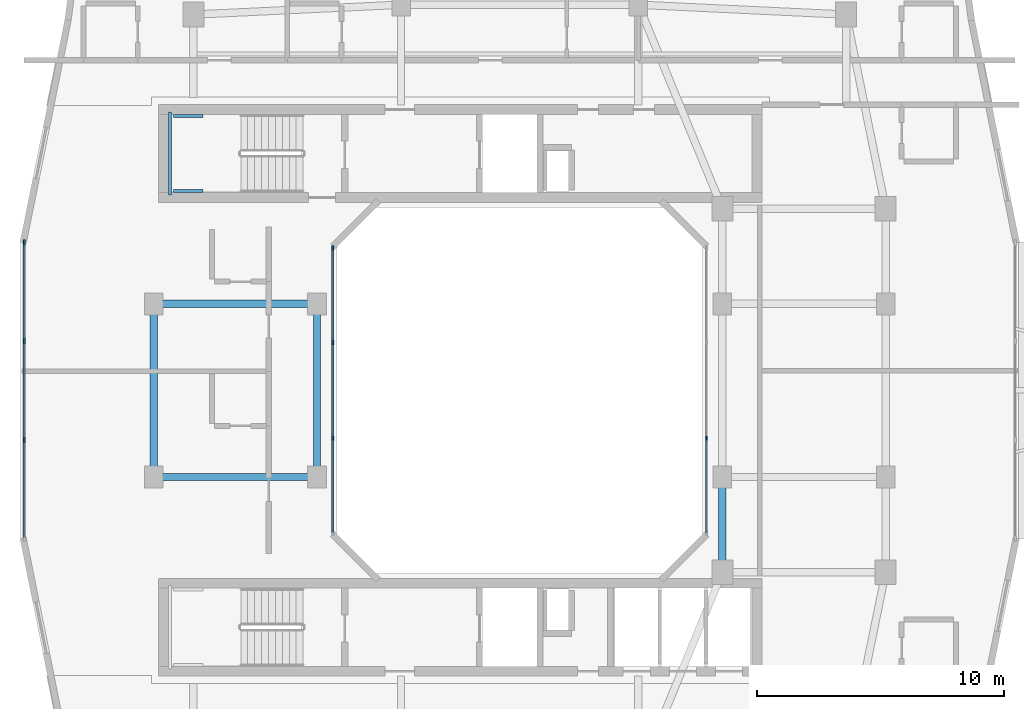
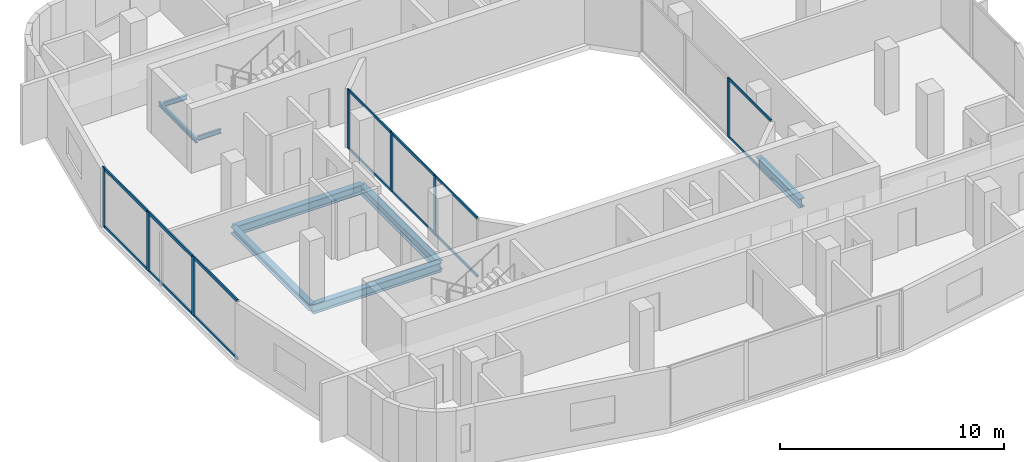
# One storey, part 3 of 14: 21 members, 8 beams, 3 elements without a shape of their own.
"""IFC4 building model written with IfcOpenShell, lengths in metres."""

from ifc_helpers import new_model, si_unit, derived_unit, direction, frame, origin, origin_2d, place, context, subcontext, project, spatial, rectangle, i_section, extrude, material, layer, layer_set, material_profile, profile_set, type_object, element, aggregate, save


model = new_model("IFC4")

# Units and contexts
model_context = context("Model", 3, precision=1e-05, world=origin(), true_north=direction((0.0, 1.0)))
body_context = subcontext(model_context, "Body", "Model", "MODEL_VIEW")
ifc_project = project(units=[si_unit("LENGTHUNIT", "METRE"), si_unit("AREAUNIT", "SQUARE_METRE"), si_unit("VOLUMEUNIT", "CUBIC_METRE"), si_unit("PLANEANGLEUNIT", "RADIAN"), si_unit("MASSUNIT", "GRAM", prefix="KILO"), derived_unit("THERMALTRANSMITTANCEUNIT", [(si_unit("POWERUNIT", "WATT"), 1), (si_unit("LENGTHUNIT", "METRE"), -2), (si_unit("THERMODYNAMICTEMPERATUREUNIT", "KELVIN"), -1)])], contexts=[model_context])

# Site, building, storey
site_placement = place(None, origin())
site = spatial("IfcSite", under=ifc_project, at=site_placement, CompositionType="ELEMENT")
building_placement = place(site_placement, origin())
building = spatial("IfcBuilding", under=site, at=building_placement, Name="Kivonza Crest Hotel", CompositionType="ELEMENT")
storey_placement = place(building_placement, frame((0.0, 0.0, 141.5)))
storey = spatial("IfcBuildingStorey", under=building, at=storey_placement, Name="L38", CompositionType="ELEMENT", Elevation=141.5)

# Beams
ifc_material_1 = material(Name="Steel S355", Category="steel")
ifc_material_profile_1 = material_profile(ifc_material_1, i_section(OverallWidth=0.300048828125, OverallDepth=0.360107421875, WebThickness=0.012451171875, FlangeThickness=0.0224609375, FilletRadius=0.027099609375, at=origin_2d()), Name="HEB 360")
ifc_profile_set_1 = profile_set([ifc_material_profile_1], Name="Steel S355")
beam_type_1 = type_object("IfcBeamType", Name="BM-HEB360", PredefinedType="SPANDREL", material=ifc_profile_set_1)
beam_1_placement = place(storey_placement, frame((6.199951171875, 28.5, -0.4599609375), z_axis=(0.0, -1.0, 0.0), x_axis=(1.0, 0.0, 0.0)))
element("IfcBeam", 1, at=beam_1_placement, inside=storey, type_object=beam_type_1, Name="Tower T1 L38 perimeter spandrel W2-W1", PredefinedType="SPANDREL", context=body_context, shape_type="SweptSolid", body=[
    extrude(i_section(OverallWidth=0.300048828125, OverallDepth=0.360107421875, WebThickness=0.012451171875, FlangeThickness=0.0224609375, FilletRadius=0.027099609375, at=origin_2d()), origin(), (0.0, 0.0, 1.0), 7.0),
])
ifc_material_profile_2 = material_profile(ifc_material_1, i_section(OverallWidth=0.300048828125, OverallDepth=0.5, WebThickness=0.014404296875, FlangeThickness=0.028076171875, FilletRadius=0.027099609375, at=origin_2d()), Name="HEB 500")
ifc_profile_set_2 = profile_set([ifc_material_profile_2], Name="Steel S355")
beam_type_2 = type_object("IfcBeamType", Name="BM-HEB500", PredefinedType="BEAM", material=ifc_profile_set_2)
for number, where, z_axis, x_axis, name in (
    (2, (6.199951171875, 21.5, -0.530029296875), (1.0, 0.0, 0.0), (0.0, 1.0, 0.0), "Tower T1 L38 primary girder W1-WL1"),
    (3, (6.199951171875, 28.5, -0.530029296875), (1.0, 0.0, 0.0), (0.0, 1.0, 0.0), "Tower T1 L38 primary girder W2-WL2"),
):
    element("IfcBeam", number, at=place(storey_placement, frame(where, z_axis=z_axis, x_axis=x_axis)), inside=storey, type_object=beam_type_2, Name=name, PredefinedType="BEAM", context=body_context, shape_type="SweptSolid", body=[
        extrude(i_section(OverallWidth=0.300048828125, OverallDepth=0.5, WebThickness=0.014404296875, FlangeThickness=0.028076171875, FilletRadius=0.027099609375, at=origin_2d()), origin(), (0.0, 0.0, 1.0), 6.60009765625),
    ])
beam_2_placement = place(storey_placement, frame((12.800048828125, 21.5, -0.530029296875), z_axis=(0.0, 1.0, 0.0), x_axis=(-1.0, 0.0, 0.0)))
element("IfcBeam", 4, at=beam_2_placement, inside=storey, type_object=beam_type_2, Name="Tower T1 L38 primary girder WL1-WL2", PredefinedType="BEAM", context=body_context, shape_type="SweptSolid", body=[
    extrude(i_section(OverallWidth=0.300048828125, OverallDepth=0.5, WebThickness=0.014404296875, FlangeThickness=0.028076171875, FilletRadius=0.027099609375, at=origin_2d()), origin(), (0.0, 0.0, 1.0), 7.0),
])
beam_3_placement = place(storey_placement, frame((29.199951171875, 17.64990234375, -0.530029296875), z_axis=(0.0, 1.0, 0.0), x_axis=(-1.0, 0.0, 0.0)))
element("IfcBeam", 5, at=beam_3_placement, inside=storey, type_object=beam_type_2, Name="Tower T1 L38 primary girder TSE-WR1", PredefinedType="BEAM", context=body_context, shape_type="SweptSolid", body=[
    extrude(i_section(OverallWidth=0.300048828125, OverallDepth=0.5, WebThickness=0.014404296875, FlangeThickness=0.028076171875, FilletRadius=0.027099609375, at=origin_2d()), origin(), (0.0, 0.0, 1.0), 3.85009765625),
])
ifc_material_profile_3 = material_profile(ifc_material_1, i_section(OverallWidth=0.1201171875, OverallDepth=0.239990234375, WebThickness=0.006103515625, FlangeThickness=0.009765625, FilletRadius=0.014892578125, at=origin_2d()), Name="IPE 240")
ifc_profile_set_3 = profile_set([ifc_material_profile_3], Name="Steel S355")
beam_type_3 = type_object("IfcBeamType", Name="BM-LLDG-240", PredefinedType="BEAM", material=ifc_profile_set_3)
beam_4_placement = place(storey_placement, frame((6.860107421875, 32.89990234375, 1.429931640625), z_axis=(0.0, 1.0, 0.0), x_axis=(-1.0, 0.0, 0.0)))
element("IfcBeam", 6, at=beam_4_placement, inside=storey, type_object=beam_type_3, Name="Stair ST-T1-N L38 West landing corbel", PredefinedType="BEAM", context=body_context, shape_type="SweptSolid", body=[
    extrude(i_section(OverallWidth=0.1201171875, OverallDepth=0.239990234375, WebThickness=0.006103515625, FlangeThickness=0.009765625, FilletRadius=0.014892578125, at=origin_2d()), origin(), (0.0, 0.0, 1.0), 3.360107421875),
])
for number, where, z_axis, x_axis, name in (
    (7, (6.989990234375, 33.06005859375, 1.429931640625), (1.0, 0.0, 0.0), (0.0, 1.0, 0.0), "Stair ST-T1-N L38 South landing corbel"),
    (8, (6.989990234375, 36.10009765625, 1.429931640625), (1.0, 0.0, 0.0), (0.0, 1.0, 0.0), "Stair ST-T1-N L38 North landing corbel"),
):
    element("IfcBeam", number, at=place(storey_placement, frame(where, z_axis=z_axis, x_axis=x_axis)), inside=storey, type_object=beam_type_3, Name=name, PredefinedType="BEAM", context=body_context, shape_type="SweptSolid", body=[
        extrude(i_section(OverallWidth=0.1201171875, OverallDepth=0.239990234375, WebThickness=0.006103515625, FlangeThickness=0.009765625, FilletRadius=0.014892578125, at=origin_2d()), origin(), (0.0, 0.0, 1.0), 1.2099609375),
    ])

# Curtain wall, member
ifc_material_2 = material(Name="Anodised bronze aluminium and low-E double glazing", Category="aluminium")
ifc_layer_1 = layer(ifc_material_2, 0.159912109375)
ifc_layer_set_1 = layer_set([ifc_layer_1], Name="Anodised bronze aluminium and low-E double glazing")
curtain_wall_type_1 = type_object("IfcCurtainWallType", Name="CW-SYS-5", PredefinedType="NOTDEFINED", material=ifc_layer_set_1)
curtain_wall_1_placement = place(storey_placement, origin())
curtain_wall_1 = element("IfcCurtainWall", 9, at=curtain_wall_1_placement, inside=storey, type_object=curtain_wall_type_1, Name="L38 unitised curtain wall CW-WELL-T1-L38-3", PredefinedType="NOTDEFINED")
ifc_material_3 = material(Name="Anodised bronze aluminium", Category="aluminium")
ifc_material_profile_4 = material_profile(ifc_material_3, rectangle(XDim=0.06494140625, YDim=0.179931640625, at=origin_2d()), Name="CW-M 65x180")
ifc_profile_set_4 = profile_set([ifc_material_profile_4], Name="Anodised bronze aluminium")
member_type_1 = type_object("IfcMemberType", Name="CW-MUL-65x180", PredefinedType="MULLION", material=ifc_profile_set_4)
member_1_placement = place(storey_placement, frame((28.56005859375, 23.066650390625, 0.0), z_axis=(0.0, 0.0, 1.0), x_axis=(-1.0, 0.0, 0.0)))
member_1 = element("IfcMember", 10, at=member_1_placement, type_object=member_type_1, Name="CW-5 mullion 2", PredefinedType="MULLION", context=body_context, shape_type="SweptSolid", body=[
    extrude(rectangle(XDim=0.06494140625, YDim=0.179931640625, at=origin_2d()), origin(), (0.0, 0.0, 1.0), 3.219970703125),
])

# Curtain wall, members
curtain_wall_2_placement = place(storey_placement, origin())
curtain_wall_2 = element("IfcCurtainWall", 11, at=curtain_wall_2_placement, inside=storey, type_object=curtain_wall_type_1, Name="L38 unitised curtain wall CW-WELL-T1-L38-7", PredefinedType="NOTDEFINED")
member_2_placement = place(storey_placement, frame((13.43994140625, 30.767578125, 0.0), z_axis=(0.0, 0.0, 1.0), x_axis=(1.0, 0.0, 0.0)))
member_2 = element("IfcMember", 12, at=member_2_placement, type_object=member_type_1, Name="CW-5 mullion 1", PredefinedType="MULLION", context=body_context, shape_type="SweptSolid", body=[
    extrude(rectangle(XDim=0.06494140625, YDim=0.179931640625, at=origin_2d()), origin(), (0.0, 0.0, 1.0), 3.219970703125),
])
member_3_placement = place(storey_placement, frame((13.43994140625, 26.933349609375, 0.0), z_axis=(0.0, 0.0, 1.0), x_axis=(1.0, 0.0, 0.0)))
member_3 = element("IfcMember", 13, at=member_3_placement, type_object=member_type_1, Name="CW-5 mullion 2", PredefinedType="MULLION", context=body_context, shape_type="SweptSolid", body=[
    extrude(rectangle(XDim=0.06494140625, YDim=0.179931640625, at=origin_2d()), origin(), (0.0, 0.0, 1.0), 3.219970703125),
])
member_4_placement = place(storey_placement, frame((13.43994140625, 23.066650390625, 0.0), z_axis=(0.0, 0.0, 1.0), x_axis=(1.0, 0.0, 0.0)))
member_4 = element("IfcMember", 14, at=member_4_placement, type_object=member_type_1, Name="CW-5 mullion 3", PredefinedType="MULLION", context=body_context, shape_type="SweptSolid", body=[
    extrude(rectangle(XDim=0.06494140625, YDim=0.179931640625, at=origin_2d()), origin(), (0.0, 0.0, 1.0), 3.219970703125),
])

ifc_layer_2 = layer(ifc_material_2, 0.179931640625)
ifc_layer_set_2 = layer_set([ifc_layer_2], Name="Anodised bronze aluminium and low-E double glazing")
curtain_wall_type_2 = type_object("IfcCurtainWallType", Name="CW-SYS-3", PredefinedType="NOTDEFINED", material=ifc_layer_set_2)
curtain_wall_3_placement = place(storey_placement, origin())
curtain_wall_3 = element("IfcCurtainWall", 15, at=curtain_wall_3_placement, inside=storey, type_object=curtain_wall_type_2, Name="L38 unitised curtain wall CW-T1-L38-35", PredefinedType="NOTDEFINED")
ifc_material_profile_5 = material_profile(ifc_material_3, rectangle(XDim=0.074951171875, YDim=0.219970703125, at=origin_2d()), Name="CW-M 75x220")
ifc_profile_set_5 = profile_set([ifc_material_profile_5], Name="Anodised bronze aluminium")
member_type_2 = type_object("IfcMemberType", Name="CW-MUL-75x220", PredefinedType="MULLION", material=ifc_profile_set_5)
member_5_placement = place(storey_placement, frame((0.9599609375, 30.982421875, 0.0), z_axis=(0.0, 0.0, 1.0), x_axis=(1.0, 0.0, 0.0)))
member_5 = element("IfcMember", 16, at=member_5_placement, type_object=member_type_2, Name="CW-3 mullion 1", PredefinedType="MULLION", context=body_context, shape_type="SweptSolid", body=[
    extrude(rectangle(XDim=0.074951171875, YDim=0.219970703125, at=origin_2d()), origin(), (0.0, 0.0, 1.0), 3.219970703125),
])
member_6_placement = place(storey_placement, frame((0.9599609375, 27.006591796875, 0.0), z_axis=(0.0, 0.0, 1.0), x_axis=(1.0, 0.0, 0.0)))
member_6 = element("IfcMember", 17, at=member_6_placement, type_object=member_type_2, Name="CW-3 mullion 2", PredefinedType="MULLION", context=body_context, shape_type="SweptSolid", body=[
    extrude(rectangle(XDim=0.074951171875, YDim=0.219970703125, at=origin_2d()), origin(), (0.0, 0.0, 1.0), 3.219970703125),
])
member_7_placement = place(storey_placement, frame((0.9599609375, 22.993408203125, 0.0), z_axis=(0.0, 0.0, 1.0), x_axis=(1.0, 0.0, 0.0)))
member_7 = element("IfcMember", 18, at=member_7_placement, type_object=member_type_2, Name="CW-3 mullion 3", PredefinedType="MULLION", context=body_context, shape_type="SweptSolid", body=[
    extrude(rectangle(XDim=0.074951171875, YDim=0.219970703125, at=origin_2d()), origin(), (0.0, 0.0, 1.0), 3.219970703125),
])

# Member
ifc_material_profile_6 = material_profile(ifc_material_3, rectangle(XDim=0.06494140625, YDim=0.139892578125, at=origin_2d()), Name="CW-T 65x140")
ifc_profile_set_6 = profile_set([ifc_material_profile_6], Name="Anodised bronze aluminium")
member_type_3 = type_object("IfcMemberType", Name="CW-TRN-65x140", PredefinedType="USERDEFINED", material=ifc_profile_set_6)
member_8_placement = place(storey_placement, frame((28.56005859375, 19.264892578125, 0.032470703125), z_axis=(0.0, 1.0, 0.0), x_axis=(-1.0, 0.0, 0.0)))
member_8 = element("IfcMember", 19, at=member_8_placement, type_object=member_type_3, Name="CW-5 transom 1.1", ObjectType="TRANSOM", PredefinedType="USERDEFINED", context=body_context, shape_type="SweptSolid", body=[
    extrude(rectangle(XDim=0.06494140625, YDim=0.139892578125, at=origin_2d()), origin(), (0.0, 0.0, 1.0), 3.769287109375),
])

member_9_placement = place(storey_placement, frame((28.56005859375, 19.264892578125, 3.1875), z_axis=(0.0, 1.0, 0.0), x_axis=(-1.0, 0.0, 0.0)))
member_9 = element("IfcMember", 20, at=member_9_placement, type_object=member_type_3, Name="CW-5 transom 1.2", ObjectType="TRANSOM", PredefinedType="USERDEFINED", context=body_context, shape_type="SweptSolid", body=[
    extrude(rectangle(XDim=0.06494140625, YDim=0.139892578125, at=origin_2d()), origin(), (0.0, 0.0, 1.0), 3.769287109375),
])

aggregate(curtain_wall_1, [member_1, member_8, member_9])

member_10_placement = place(storey_placement, frame((13.43994140625, 30.735107421875, 0.032470703125), z_axis=(0.0, -1.0, 0.0), x_axis=(1.0, 0.0, 0.0)))
member_10 = element("IfcMember", 21, at=member_10_placement, type_object=member_type_3, Name="CW-5 transom 1.1", ObjectType="TRANSOM", PredefinedType="USERDEFINED", context=body_context, shape_type="SweptSolid", body=[
    extrude(rectangle(XDim=0.06494140625, YDim=0.139892578125, at=origin_2d()), origin(), (0.0, 0.0, 1.0), 3.769287109375),
])

member_11_placement = place(storey_placement, frame((13.43994140625, 30.735107421875, 3.1875), z_axis=(0.0, -1.0, 0.0), x_axis=(1.0, 0.0, 0.0)))
member_11 = element("IfcMember", 22, at=member_11_placement, type_object=member_type_3, Name="CW-5 transom 1.2", ObjectType="TRANSOM", PredefinedType="USERDEFINED", context=body_context, shape_type="SweptSolid", body=[
    extrude(rectangle(XDim=0.06494140625, YDim=0.139892578125, at=origin_2d()), origin(), (0.0, 0.0, 1.0), 3.769287109375),
])

member_12_placement = place(storey_placement, frame((13.43994140625, 26.90087890625, 0.032470703125), z_axis=(0.0, -1.0, 0.0), x_axis=(1.0, 0.0, 0.0)))
member_12 = element("IfcMember", 23, at=member_12_placement, type_object=member_type_3, Name="CW-5 transom 2.1", ObjectType="TRANSOM", PredefinedType="USERDEFINED", context=body_context, shape_type="SweptSolid", body=[
    extrude(rectangle(XDim=0.06494140625, YDim=0.139892578125, at=origin_2d()), origin(), (0.0, 0.0, 1.0), 3.8017578125),
])

member_13_placement = place(storey_placement, frame((13.43994140625, 26.90087890625, 3.1875), z_axis=(0.0, -1.0, 0.0), x_axis=(1.0, 0.0, 0.0)))
member_13 = element("IfcMember", 24, at=member_13_placement, type_object=member_type_3, Name="CW-5 transom 2.2", ObjectType="TRANSOM", PredefinedType="USERDEFINED", context=body_context, shape_type="SweptSolid", body=[
    extrude(rectangle(XDim=0.06494140625, YDim=0.139892578125, at=origin_2d()), origin(), (0.0, 0.0, 1.0), 3.8017578125),
])

member_14_placement = place(storey_placement, frame((13.43994140625, 23.0341796875, 0.032470703125), z_axis=(0.0, -1.0, 0.0), x_axis=(1.0, 0.0, 0.0)))
member_14 = element("IfcMember", 25, at=member_14_placement, type_object=member_type_3, Name="CW-5 transom 3.1", ObjectType="TRANSOM", PredefinedType="USERDEFINED", context=body_context, shape_type="SweptSolid", body=[
    extrude(rectangle(XDim=0.06494140625, YDim=0.139892578125, at=origin_2d()), origin(), (0.0, 0.0, 1.0), 3.769287109375),
])

member_15_placement = place(storey_placement, frame((13.43994140625, 23.0341796875, 3.1875), z_axis=(0.0, -1.0, 0.0), x_axis=(1.0, 0.0, 0.0)))
member_15 = element("IfcMember", 26, at=member_15_placement, type_object=member_type_3, Name="CW-5 transom 3.2", ObjectType="TRANSOM", PredefinedType="USERDEFINED", context=body_context, shape_type="SweptSolid", body=[
    extrude(rectangle(XDim=0.06494140625, YDim=0.139892578125, at=origin_2d()), origin(), (0.0, 0.0, 1.0), 3.769287109375),
])

aggregate(curtain_wall_2, [member_2, member_3, member_4, member_10, member_11, member_12, member_13, member_14, member_15])

ifc_material_profile_7 = material_profile(ifc_material_3, rectangle(XDim=0.074951171875, YDim=0.159912109375, at=origin_2d()), Name="CW-T 75x160")
ifc_profile_set_7 = profile_set([ifc_material_profile_7], Name="Anodised bronze aluminium")
member_type_4 = type_object("IfcMemberType", Name="CW-TRN-75x160", PredefinedType="USERDEFINED", material=ifc_profile_set_7)
member_16_placement = place(storey_placement, frame((0.9599609375, 30.945068359375, 0.03759765625), z_axis=(0.0, -1.0, 0.0), x_axis=(1.0, 0.0, 0.0)))
member_16 = element("IfcMember", 27, at=member_16_placement, type_object=member_type_4, Name="CW-3 transom 1.1", ObjectType="TRANSOM", PredefinedType="USERDEFINED", context=body_context, shape_type="SweptSolid", body=[
    extrude(rectangle(XDim=0.074951171875, YDim=0.159912109375, at=origin_2d()), origin(), (0.0, 0.0, 1.0), 3.90087890625),
])

member_17_placement = place(storey_placement, frame((0.9599609375, 30.945068359375, 3.1826171875), z_axis=(0.0, -1.0, 0.0), x_axis=(1.0, 0.0, 0.0)))
member_17 = element("IfcMember", 28, at=member_17_placement, type_object=member_type_4, Name="CW-3 transom 1.2", ObjectType="TRANSOM", PredefinedType="USERDEFINED", context=body_context, shape_type="SweptSolid", body=[
    extrude(rectangle(XDim=0.074951171875, YDim=0.159912109375, at=origin_2d()), origin(), (0.0, 0.0, 1.0), 3.90087890625),
])

member_18_placement = place(storey_placement, frame((0.9599609375, 26.96923828125, 0.03759765625), z_axis=(0.0, -1.0, 0.0), x_axis=(1.0, 0.0, 0.0)))
member_18 = element("IfcMember", 29, at=member_18_placement, type_object=member_type_4, Name="CW-3 transom 2.1", ObjectType="TRANSOM", PredefinedType="USERDEFINED", context=body_context, shape_type="SweptSolid", body=[
    extrude(rectangle(XDim=0.074951171875, YDim=0.159912109375, at=origin_2d()), origin(), (0.0, 0.0, 1.0), 3.9384765625),
])

member_19_placement = place(storey_placement, frame((0.9599609375, 26.96923828125, 3.1826171875), z_axis=(0.0, -1.0, 0.0), x_axis=(1.0, 0.0, 0.0)))
member_19 = element("IfcMember", 30, at=member_19_placement, type_object=member_type_4, Name="CW-3 transom 2.2", ObjectType="TRANSOM", PredefinedType="USERDEFINED", context=body_context, shape_type="SweptSolid", body=[
    extrude(rectangle(XDim=0.074951171875, YDim=0.159912109375, at=origin_2d()), origin(), (0.0, 0.0, 1.0), 3.9384765625),
])

member_20_placement = place(storey_placement, frame((0.9599609375, 22.955810546875, 0.03759765625), z_axis=(0.0, -1.0, 0.0), x_axis=(1.0, 0.0, 0.0)))
member_20 = element("IfcMember", 31, at=member_20_placement, type_object=member_type_4, Name="CW-3 transom 3.1", ObjectType="TRANSOM", PredefinedType="USERDEFINED", context=body_context, shape_type="SweptSolid", body=[
    extrude(rectangle(XDim=0.074951171875, YDim=0.159912109375, at=origin_2d()), origin(), (0.0, 0.0, 1.0), 3.90087890625),
])

member_21_placement = place(storey_placement, frame((0.9599609375, 22.955810546875, 3.1826171875), z_axis=(0.0, -1.0, 0.0), x_axis=(1.0, 0.0, 0.0)))
member_21 = element("IfcMember", 32, at=member_21_placement, type_object=member_type_4, Name="CW-3 transom 3.2", ObjectType="TRANSOM", PredefinedType="USERDEFINED", context=body_context, shape_type="SweptSolid", body=[
    extrude(rectangle(XDim=0.074951171875, YDim=0.159912109375, at=origin_2d()), origin(), (0.0, 0.0, 1.0), 3.90087890625),
])

aggregate(curtain_wall_3, [member_5, member_6, member_7, member_16, member_17, member_18, member_19, member_20, member_21])

save(model, "model.ifc")
